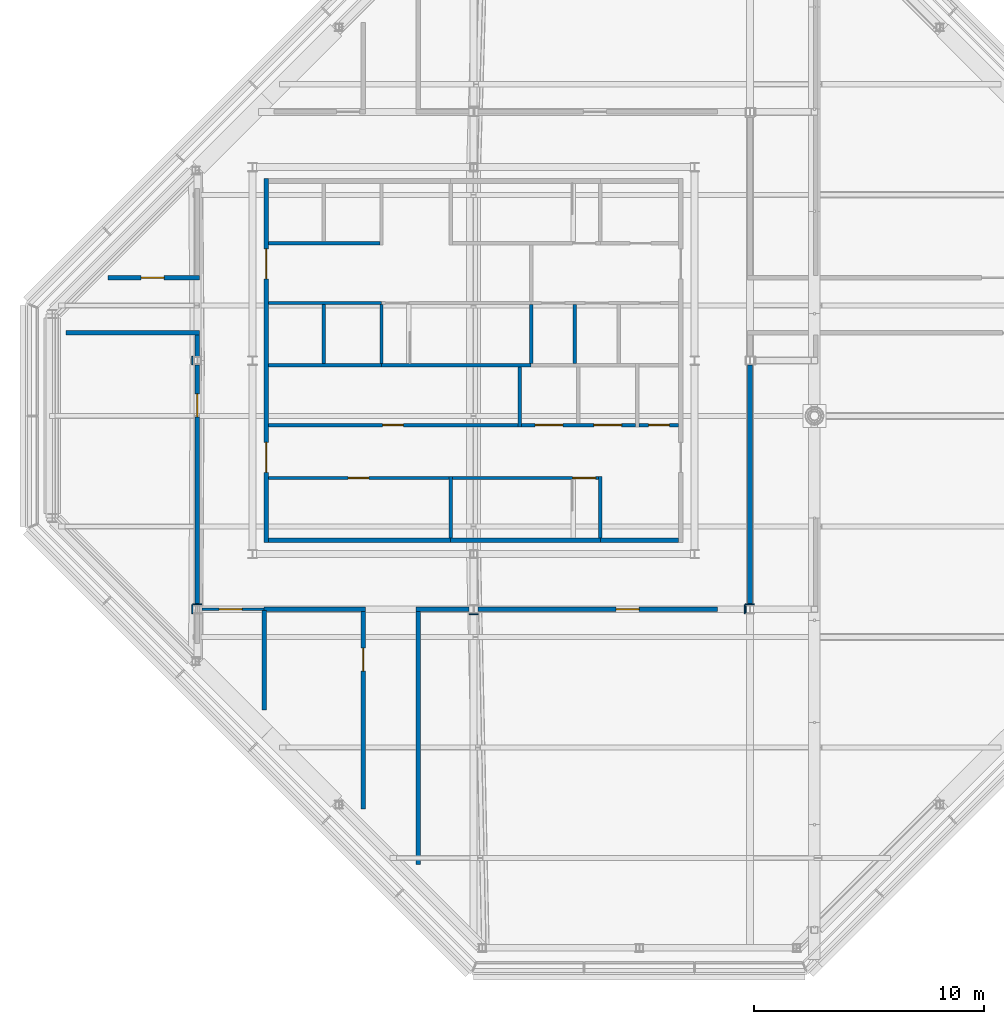
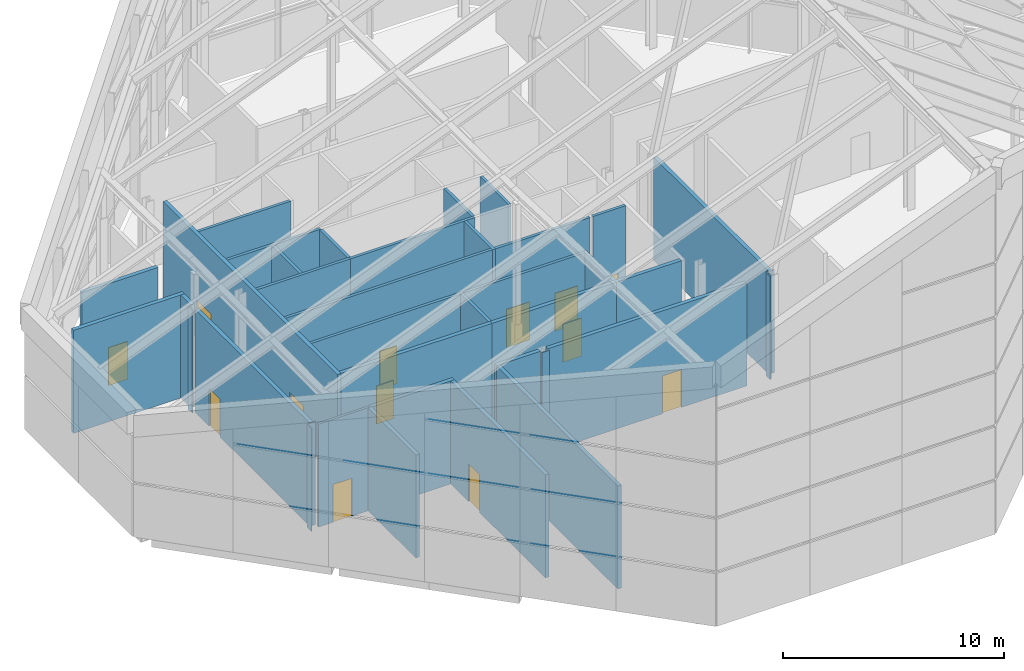
# One storey, part 17 of 21: 39 walls, 13 doors, 13 openings.
"""IFC4 building model written with IfcOpenShell, lengths in metres."""

from ifc_helpers import new_model, si_unit, direction, frame, frame_2d, origin, place, context, subcontext, project, spatial, rectangle, extrude, material, layer, layer_set, type_object, element, fill, save


model = new_model("IFC4")

# Units and contexts
model_context = context("Model", 3, precision=1e-05, world=origin(), true_north=direction((0.0, 1.0)))
body_context = subcontext(model_context, "Body", "Model", "MODEL_VIEW")
ifc_project = project(units=[si_unit("LENGTHUNIT", "METRE"), si_unit("AREAUNIT", "SQUARE_METRE"), si_unit("VOLUMEUNIT", "CUBIC_METRE"), si_unit("PLANEANGLEUNIT", "RADIAN"), si_unit("MASSUNIT", "GRAM", prefix="KILO")], contexts=[model_context])

# Site, building, storey
site_placement = place(None, origin())
site = spatial("IfcSite", under=ifc_project, at=site_placement, CompositionType="ELEMENT")
building_placement = place(site_placement, origin())
building = spatial("IfcBuilding", under=site, at=building_placement, Name="Cairn Pilgrim Tower", CompositionType="ELEMENT")
storey_placement = place(building_placement, frame((0.0, 0.0, 295.800048828125)))
storey = spatial("IfcBuildingStorey", under=building, at=storey_placement, Name="L76", CompositionType="ELEMENT", Elevation=295.800048828125)

# Walls
ifc_material_1 = material(Name="Concrete C32/40", Category="concrete")
ifc_layer_1 = layer(ifc_material_1, 0.199951171875)
ifc_layer_set_1 = layer_set([ifc_layer_1], Name="CORE OUTER WALL 200 EI 120")
wall_type_1 = type_object("IfcWallType", Name="CORE OUTER WALL 200 EI 120", PredefinedType="SOLIDWALL", material=ifc_layer_set_1)
wall_1_placement = place(storey_placement, frame((-1.699951171875, -5.39990234375, 0.0), z_axis=(0.0, 0.0, 1.0), x_axis=(1.0, 0.0, 0.0)))
element("IfcWall", 1, at=wall_1_placement, inside=storey, type_object=wall_type_1, Name="CW:L76:H01-1", PredefinedType="SOLIDWALL", context=body_context, shape_type="SweptSolid", body=[
    extrude(rectangle(XDim=7.89990234375, YDim=0.199951171875, at=frame_2d((3.949951171875, 0.0))), origin(), (0.0, 0.0, 1.0), 5.699951171875),
])
wall_2_placement = place(storey_placement, frame((12.699951171875, -5.39990234375, 0.0), z_axis=(0.0, 0.0, 1.0), x_axis=(1.0, 0.0, 0.0)))
element("IfcWall", 2, at=wall_2_placement, inside=storey, type_object=wall_type_1, Name="CW:L76:H01-3", PredefinedType="SOLIDWALL", context=body_context, shape_type="SweptSolid", body=[
    extrude(rectangle(XDim=3.400146484375, YDim=0.199951171875, at=frame_2d((1.7001953125, 0.0))), origin(), (0.0, 0.0, 1.0), 5.699951171875),
])

# Wall, openings, doors
wall_3_placement = place(storey_placement, frame((-1.800048828125, -5.5, 0.0), z_axis=(0.0, 0.0, 1.0), x_axis=(0.0, 1.0, 0.0)))
wall_3 = element("IfcWall", 3, at=wall_3_placement, inside=storey, type_object=wall_type_1, Name="CW:L76:V13", PredefinedType="SOLIDWALL", context=body_context, shape_type="SweptSolid", body=[
    extrude(rectangle(XDim=15.800048828125, YDim=0.199951171875, at=frame_2d((7.89990234375, 0.0))), origin(), (0.0, 0.0, 1.0), 5.699951171875),
])
opening_1_placement = place(wall_3_placement, frame((3.050048828125, 0.0, 0.0)))
opening_1 = element("IfcOpeningElement", 4, at=opening_1_placement, cuts=wall_3, Name="Opening CD-W1", PredefinedType="OPENING", context=body_context, shape_type="SweptSolid", body=[
    extrude(rectangle(XDim=1.300048828125, YDim=2.10009765625, at=frame_2d((0.64990234375, 1.050048828125))), frame((0.0, 0.10986328125, 0.0), z_axis=(0.0, -1.0, 0.0), x_axis=(1.0, 0.0, 0.0)), (0.0, 0.0, 1.0), 0.219970703125),
])
opening_2_placement = place(wall_3_placement, frame((11.449951171875, 0.0, 0.0)))
opening_2 = element("IfcOpeningElement", 5, at=opening_2_placement, cuts=wall_3, Name="Opening CD-W2", PredefinedType="OPENING", context=body_context, shape_type="SweptSolid", body=[
    extrude(rectangle(XDim=1.300048828125, YDim=2.10009765625, at=frame_2d((0.64990234375, 1.050048828125))), frame((0.0, 0.10986328125, 0.0), z_axis=(0.0, -1.0, 0.0), x_axis=(1.0, 0.0, 0.0)), (0.0, 0.0, 1.0), 0.219970703125),
])
ifc_material_2 = material(Name="Painted steel", Category="steel")
door_type_1 = type_object("IfcDoorType", Name="CORE LOBBY DOOR 1300x2100", OperationType="DOUBLE_DOOR_SINGLE_SWING", PredefinedType="DOOR", material=ifc_material_2)
door_1_placement = place(opening_1_placement, origin())
door_1 = element("IfcDoor", 6, at=door_1_placement, inside=storey, type_object=door_type_1, Name="CD-W1", OperationType="DOUBLE_DOOR_SINGLE_SWING", OverallHeight=2.10009765625, OverallWidth=1.300048828125, PredefinedType="DOOR", context=body_context, shape_type="SweptSolid", body=[
    extrude(rectangle(XDim=1.300048828125, YDim=2.10009765625, at=frame_2d((0.64990234375, 1.050048828125))), frame((0.0, 0.02490234375, 0.0), z_axis=(0.0, -1.0, 0.0), x_axis=(1.0, 0.0, 0.0)), (0.0, 0.0, 1.0), 0.050048828125),
])
fill(opening_1, door_1)
door_2_placement = place(opening_2_placement, origin())
door_2 = element("IfcDoor", 7, at=door_2_placement, inside=storey, type_object=door_type_1, Name="CD-W2", OperationType="DOUBLE_DOOR_SINGLE_SWING", OverallHeight=2.10009765625, OverallWidth=1.300048828125, PredefinedType="DOOR", context=body_context, shape_type="SweptSolid", body=[
    extrude(rectangle(XDim=1.300048828125, YDim=2.10009765625, at=frame_2d((0.64990234375, 1.050048828125))), frame((0.0, 0.02490234375, 0.0), z_axis=(0.0, -1.0, 0.0), x_axis=(1.0, 0.0, 0.0)), (0.0, 0.0, 1.0), 0.050048828125),
])
fill(opening_2, door_2)

# Wall, opening, door
ifc_layer_2 = layer(ifc_material_1, 0.14990234375)
ifc_layer_set_2 = layer_set([ifc_layer_2], Name="CORE PARTITION 150 EI 60")
wall_type_2 = type_object("IfcWallType", Name="CORE PARTITION 150 EI 60", PredefinedType="PARTITIONING", material=ifc_layer_set_2)
wall_4_placement = place(storey_placement, frame((-1.699951171875, -2.699951171875, 0.0), z_axis=(0.0, 0.0, 1.0), x_axis=(1.0, 0.0, 0.0)))
wall_4 = element("IfcWall", 8, at=wall_4_placement, inside=storey, type_object=wall_type_2, Name="CW:L76:H02", PredefinedType="PARTITIONING", context=body_context, shape_type="SweptSolid", body=[
    extrude(rectangle(XDim=7.824951171875, YDim=0.14990234375, at=frame_2d((3.91259765625, 0.0))), origin(), (0.0, 0.0, 1.0), 5.699951171875),
])
opening_3_placement = place(wall_4_placement, frame((3.449951171875, 0.0, 0.0)))
opening_3 = element("IfcOpeningElement", 9, at=opening_3_placement, cuts=wall_4, Name="Opening RD-R1W1", PredefinedType="OPENING", context=body_context, shape_type="SweptSolid", body=[
    extrude(rectangle(XDim=0.89990234375, YDim=2.10009765625, at=frame_2d((0.449951171875, 1.050048828125))), frame((0.0, 0.0849609375, 0.0), z_axis=(0.0, -1.0, 0.0), x_axis=(1.0, 0.0, 0.0)), (0.0, 0.0, 1.0), 0.169921875),
])
door_type_2 = type_object("IfcDoorType", Name="SERVICE ROOM DOOR 900x2100", OperationType="SINGLE_SWING_LEFT", PredefinedType="DOOR", material=ifc_material_2)
door_3_placement = place(opening_3_placement, origin())
door_3 = element("IfcDoor", 10, at=door_3_placement, inside=storey, type_object=door_type_2, Name="RD-R1W1", OperationType="SINGLE_SWING_LEFT", OverallHeight=2.10009765625, OverallWidth=0.89990234375, PredefinedType="DOOR", context=body_context, shape_type="SweptSolid", body=[
    extrude(rectangle(XDim=0.89990234375, YDim=2.10009765625, at=frame_2d((0.449951171875, 1.050048828125))), frame((0.0, 0.02490234375, 0.0), z_axis=(0.0, -1.0, 0.0), x_axis=(1.0, 0.0, 0.0)), (0.0, 0.0, 1.0), 0.050048828125),
])
fill(opening_3, door_3)

wall_5_placement = place(storey_placement, frame((-1.699951171875, -0.39990234375, 0.0), z_axis=(0.0, 0.0, 1.0), x_axis=(1.0, 0.0, 0.0)))
wall_5 = element("IfcWall", 11, at=wall_5_placement, inside=storey, type_object=wall_type_2, Name="CW:L76:H04", PredefinedType="PARTITIONING", context=body_context, shape_type="SweptSolid", body=[
    extrude(rectangle(XDim=10.824951171875, YDim=0.14990234375, at=frame_2d((5.41259765625, 0.0))), origin(), (0.0, 0.0, 1.0), 5.699951171875),
])
opening_4_placement = place(wall_5_placement, frame((4.949951171875, 0.0, 0.0)))
opening_4 = element("IfcOpeningElement", 12, at=opening_4_placement, cuts=wall_5, Name="Opening RD-R2W1", PredefinedType="OPENING", context=body_context, shape_type="SweptSolid", body=[
    extrude(rectangle(XDim=0.89990234375, YDim=2.10009765625, at=frame_2d((0.449951171875, 1.050048828125))), frame((0.0, 0.0849609375, 0.0), z_axis=(0.0, -1.0, 0.0), x_axis=(1.0, 0.0, 0.0)), (0.0, 0.0, 1.0), 0.169921875),
])
door_4_placement = place(opening_4_placement, origin())
door_4 = element("IfcDoor", 13, at=door_4_placement, inside=storey, type_object=door_type_2, Name="RD-R2W1", OperationType="SINGLE_SWING_RIGHT", OverallHeight=2.10009765625, OverallWidth=0.89990234375, PredefinedType="DOOR", context=body_context, shape_type="SweptSolid", body=[
    extrude(rectangle(XDim=0.89990234375, YDim=2.10009765625, at=frame_2d((0.449951171875, 1.050048828125))), frame((0.0, 0.02490234375, 0.0), z_axis=(0.0, -1.0, 0.0), x_axis=(1.0, 0.0, 0.0)), (0.0, 0.0, 1.0), 0.050048828125),
])
fill(opening_4, door_4)

wall_6_placement = place(storey_placement, frame((14.375, -0.39990234375, 0.0), z_axis=(0.0, 0.0, 1.0), x_axis=(1.0, 0.0, 0.0)))
wall_6 = element("IfcWall", 14, at=wall_6_placement, inside=storey, type_object=wall_type_2, Name="CW:L76:H06", PredefinedType="PARTITIONING", context=body_context, shape_type="SweptSolid", body=[
    extrude(rectangle(XDim=1.72509765625, YDim=0.14990234375, at=frame_2d((0.862548828125, 0.0))), origin(), (0.0, 0.0, 1.0), 5.699951171875),
])
opening_5_placement = place(wall_6_placement, frame((0.425048828125, 0.0, 0.0)))
opening_5 = element("IfcOpeningElement", 15, at=opening_5_placement, cuts=wall_6, Name="Opening RD-R2E", PredefinedType="OPENING", context=body_context, shape_type="SweptSolid", body=[
    extrude(rectangle(XDim=0.89990234375, YDim=2.10009765625, at=frame_2d((0.449951171875, 1.050048828125))), frame((0.0, 0.0849609375, 0.0), z_axis=(0.0, -1.0, 0.0), x_axis=(1.0, 0.0, 0.0)), (0.0, 0.0, 1.0), 0.169921875),
])
door_5_placement = place(opening_5_placement, origin())
door_5 = element("IfcDoor", 16, at=door_5_placement, inside=storey, type_object=door_type_2, Name="RD-R2E", OperationType="SINGLE_SWING_RIGHT", OverallHeight=2.10009765625, OverallWidth=0.89990234375, PredefinedType="DOOR", context=body_context, shape_type="SweptSolid", body=[
    extrude(rectangle(XDim=0.89990234375, YDim=2.10009765625, at=frame_2d((0.449951171875, 1.050048828125))), frame((0.0, 0.02490234375, 0.0), z_axis=(0.0, -1.0, 0.0), x_axis=(1.0, 0.0, 0.0)), (0.0, 0.0, 1.0), 0.050048828125),
])
fill(opening_5, door_5)

# Wall, openings, doors
ifc_layer_3 = layer(ifc_material_1, 0.14990234375)
ifc_layer_set_3 = layer_set([ifc_layer_3], Name="CORE SHAFT WALL 150 EI 120")
wall_type_3 = type_object("IfcWallType", Name="CORE SHAFT WALL 150 EI 120", PredefinedType="SOLIDWALL", material=ifc_layer_set_3)
wall_7_placement = place(storey_placement, frame((9.27490234375, -0.39990234375, 0.0), z_axis=(0.0, 0.0, 1.0), x_axis=(1.0, 0.0, 0.0)))
wall_7 = element("IfcWall", 17, at=wall_7_placement, inside=storey, type_object=wall_type_3, Name="CW:L76:H05", PredefinedType="SOLIDWALL", context=body_context, shape_type="SweptSolid", body=[
    extrude(rectangle(XDim=4.9501953125, YDim=0.14990234375, at=frame_2d((2.47509765625, 0.0))), origin(), (0.0, 0.0, 1.0), 5.699951171875),
])
opening_6_placement = place(wall_7_placement, frame((0.60009765625, 0.0, 0.0)))
opening_6 = element("IfcOpeningElement", 18, at=opening_6_placement, cuts=wall_7, Name="Opening LD-SV1", PredefinedType="OPENING", context=body_context, shape_type="SweptSolid", body=[
    extrude(rectangle(XDim=1.199951171875, YDim=2.10009765625, at=frame_2d((0.60009765625, 1.050048828125))), frame((0.0, 0.0849609375, 0.0), z_axis=(0.0, -1.0, 0.0), x_axis=(1.0, 0.0, 0.0)), (0.0, 0.0, 1.0), 0.169921875),
])
opening_7_placement = place(wall_7_placement, frame((3.14990234375, 0.0, 0.0)))
opening_7 = element("IfcOpeningElement", 19, at=opening_7_placement, cuts=wall_7, Name="Opening LD-SV2", PredefinedType="OPENING", context=body_context, shape_type="SweptSolid", body=[
    extrude(rectangle(XDim=1.199951171875, YDim=2.10009765625, at=frame_2d((0.60009765625, 1.050048828125))), frame((0.0, 0.0849609375, 0.0), z_axis=(0.0, -1.0, 0.0), x_axis=(1.0, 0.0, 0.0)), (0.0, 0.0, 1.0), 0.169921875),
])
ifc_material_3 = material(Name="Stainless steel", Category="steel")
door_type_3 = type_object("IfcDoorType", Name="LIFT LANDING DOOR 1200x2100", OperationType="DOUBLE_DOOR_SLIDING", PredefinedType="DOOR", material=ifc_material_3)
door_6_placement = place(opening_6_placement, origin())
door_6 = element("IfcDoor", 20, at=door_6_placement, inside=storey, type_object=door_type_3, Name="LANDING DOOR SV1", OperationType="DOUBLE_DOOR_SLIDING", OverallHeight=2.10009765625, OverallWidth=1.199951171875, PredefinedType="DOOR", context=body_context, shape_type="SweptSolid", body=[
    extrude(rectangle(XDim=1.199951171875, YDim=2.10009765625, at=frame_2d((0.60009765625, 1.050048828125))), frame((0.0, 0.02490234375, 0.0), z_axis=(0.0, -1.0, 0.0), x_axis=(1.0, 0.0, 0.0)), (0.0, 0.0, 1.0), 0.050048828125),
])
fill(opening_6, door_6)
door_7_placement = place(opening_7_placement, origin())
door_7 = element("IfcDoor", 21, at=door_7_placement, inside=storey, type_object=door_type_3, Name="LANDING DOOR SV2", OperationType="DOUBLE_DOOR_SLIDING", OverallHeight=2.10009765625, OverallWidth=1.199951171875, PredefinedType="DOOR", context=body_context, shape_type="SweptSolid", body=[
    extrude(rectangle(XDim=1.199951171875, YDim=2.10009765625, at=frame_2d((0.60009765625, 1.050048828125))), frame((0.0, 0.02490234375, 0.0), z_axis=(0.0, -1.0, 0.0), x_axis=(1.0, 0.0, 0.0)), (0.0, 0.0, 1.0), 0.050048828125),
])
fill(opening_7, door_7)

# Walls
for number, where, z_axis, x_axis, name in (
    (22, (-1.699951171875, 2.199951171875, 0.0), (0.0, 0.0, 1.0), (1.0, 0.0, 0.0), "CW:L76:H07-1"),
    (23, (-1.699951171875, 4.89990234375, 0.0), (0.0, 0.0, 1.0), (1.0, 0.0, 0.0), "CW:L76:H09-1"),
):
    element("IfcWall", number, at=place(storey_placement, frame(where, z_axis=z_axis, x_axis=x_axis)), inside=storey, type_object=wall_type_3, Name=name, PredefinedType="SOLIDWALL", context=body_context, shape_type="SweptSolid", body=[
        extrude(rectangle(XDim=4.89990234375, YDim=0.14990234375, at=frame_2d((2.449951171875, 0.0))), origin(), (0.0, 0.0, 1.0), 5.699951171875),
    ])
wall_8_placement = place(storey_placement, frame((-1.699951171875, 7.5, 0.0), z_axis=(0.0, 0.0, 1.0), x_axis=(1.0, 0.0, 0.0)))
element("IfcWall", 24, at=wall_8_placement, inside=storey, type_object=wall_type_3, Name="CW:L76:H10", PredefinedType="SOLIDWALL", context=body_context, shape_type="SweptSolid", body=[
    extrude(rectangle(XDim=4.824951171875, YDim=0.14990234375, at=frame_2d((2.41259765625, 0.0))), origin(), (0.0, 0.0, 1.0), 5.699951171875),
])
wall_9_placement = place(storey_placement, frame((0.699951171875, 2.27490234375, 0.0), z_axis=(0.0, 0.0, 1.0), x_axis=(0.0, 1.0, 0.0)))
element("IfcWall", 25, at=wall_9_placement, inside=storey, type_object=wall_type_3, Name="CW:L76:V14", PredefinedType="SOLIDWALL", context=body_context, shape_type="SweptSolid", body=[
    extrude(rectangle(XDim=2.550048828125, YDim=0.14990234375, at=frame_2d((1.27490234375, 0.0))), origin(), (0.0, 0.0, 1.0), 5.699951171875),
])
wall_10_placement = place(storey_placement, frame((9.199951171875, -0.47509765625, 0.0), z_axis=(0.0, 0.0, 1.0), x_axis=(0.0, 1.0, 0.0)))
element("IfcWall", 26, at=wall_10_placement, inside=storey, type_object=wall_type_3, Name="CW:L76:V20", PredefinedType="SOLIDWALL", context=body_context, shape_type="SweptSolid", body=[
    extrude(rectangle(XDim=2.60009765625, YDim=0.14990234375, at=frame_2d((1.300048828125, 0.0))), origin(), (0.0, 0.0, 1.0), 5.699951171875),
])
wall_11_placement = place(storey_placement, frame((11.60009765625, 2.27490234375, 0.0), z_axis=(0.0, 0.0, 1.0), x_axis=(0.0, 1.0, 0.0)))
element("IfcWall", 27, at=wall_11_placement, inside=storey, type_object=wall_type_3, Name="CW:L76:V23", PredefinedType="SOLIDWALL", context=body_context, shape_type="SweptSolid", body=[
    extrude(rectangle(XDim=2.550048828125, YDim=0.14990234375, at=frame_2d((1.27490234375, 0.0))), origin(), (0.0, 0.0, 1.0), 5.699951171875),
])

# Wall, opening, door
ifc_material_4 = material(Name="Gypsum partition")
ifc_layer_4 = layer(ifc_material_4, 0.125)
ifc_layer_set_4 = layer_set([ifc_layer_4], Name="PARTITION 125 DRYWALL EI 60")
wall_type_4 = type_object("IfcWallType", Name="PARTITION 125 DRYWALL EI 60", PredefinedType="PARTITIONING", material=ifc_layer_set_4)
wall_12_placement = place(storey_placement, frame((-4.60302734375, -8.39990234375, 0.0), z_axis=(0.0, 0.0, 1.0), x_axis=(1.0, 0.0, 0.0)))
wall_12 = element("IfcWall", 28, at=wall_12_placement, inside=storey, type_object=wall_type_4, Name="PARTITION W006", PredefinedType="PARTITIONING", context=body_context, shape_type="SweptSolid", body=[
    extrude(rectangle(XDim=2.703125, YDim=0.125, at=frame_2d((1.3515625, 0.0))), origin(), (0.0, 0.0, 1.0), 5.699951171875),
])
opening_8_placement = place(wall_12_placement, frame((0.7529296875, 0.0, 0.0)))
opening_8 = element("IfcOpeningElement", 29, at=opening_8_placement, cuts=wall_12, Name="Opening 7606", PredefinedType="OPENING", context=body_context, shape_type="SweptSolid", body=[
    extrude(rectangle(XDim=1.0, YDim=2.10009765625, at=frame_2d((0.5, 1.050048828125))), frame((0.0, 0.072509765625, 0.0), z_axis=(0.0, -1.0, 0.0), x_axis=(1.0, 0.0, 0.0)), (0.0, 0.0, 1.0), 0.14501953125),
])
ifc_material_5 = material(Name="Steel-faced fire door leaf", Category="steel")
door_type_4 = type_object("IfcDoorType", Name="FIRE DOOR 1000x2100 FD60S", OperationType="NOTDEFINED", PredefinedType="DOOR", material=ifc_material_5)
door_8_placement = place(opening_8_placement, origin())
door_8 = element("IfcDoor", 30, at=door_8_placement, inside=storey, type_object=door_type_4, Name="DOOR 7606", OperationType="SINGLE_SWING_RIGHT", OverallHeight=2.10009765625, OverallWidth=1.0, PredefinedType="DOOR", context=body_context, shape_type="SweptSolid", body=[
    extrude(rectangle(XDim=1.0, YDim=2.10009765625, at=frame_2d((0.5, 1.050048828125))), frame((0.0, 0.02490234375, 0.0), z_axis=(0.0, -1.0, 0.0), x_axis=(1.0, 0.0, 0.0)), (0.0, 0.0, 1.0), 0.050048828125),
])
fill(opening_8, door_8)

# Walls
ifc_layer_5 = layer(ifc_material_4, 0.050048828125)
ifc_layer_set_5 = layer_set([ifc_layer_5], Name="PARTITION 50 DRYWALL EI 120")
wall_type_5 = type_object("IfcWallType", Name="PARTITION 50 DRYWALL EI 120", PredefinedType="PARTITIONING", material=ifc_layer_set_5)
wall_13_placement = place(storey_placement, frame((19.021484375, -8.550048828125, 0.0), z_axis=(0.0, 0.0, 1.0), x_axis=(0.0, 1.0, 0.0)))
element("IfcWall", 31, at=wall_13_placement, inside=storey, type_object=wall_type_5, Name="COLUMN CASING WC01", PredefinedType="PARTITIONING", context=body_context, shape_type="SweptSolid", body=[
    extrude(rectangle(XDim=0.300048828125, YDim=0.050048828125, at=frame_2d((0.14990234375, 0.0))), origin(), (0.0, 0.0, 1.0), 5.699951171875),
])
for number, where, z_axis, x_axis, name in (
    (32, (-5.02197265625, -8.58740234375, 0.0), (0.0, 0.0, 1.0), (0.0, 1.0, 0.0), "COLUMN CASING WC03"),
    (33, (-5.02197265625, 2.21240234375, 0.0), (0.0, 0.0, 1.0), (0.0, 1.0, 0.0), "COLUMN CASING WC04"),
):
    element("IfcWall", number, at=place(storey_placement, frame(where, z_axis=z_axis, x_axis=x_axis)), inside=storey, type_object=wall_type_5, Name=name, PredefinedType="PARTITIONING", context=body_context, shape_type="SweptSolid", body=[
        extrude(rectangle(XDim=0.375, YDim=0.050048828125, at=frame_2d((0.1875, 0.0))), origin(), (0.0, 0.0, 1.0), 5.699951171875),
    ])
for number, where, z_axis, x_axis, name in (
    (34, (7.0029296875, -8.612548828125, 0.0), (0.0, 0.0, 1.0), (1.0, 0.0, 0.0), "COLUMN CASING WC06"),
    (35, (19.0029296875, -8.1875, 0.0), (0.0, 0.0, 1.0), (1.0, 0.0, 0.0), "COLUMN CASING WC07"),
):
    element("IfcWall", number, at=place(storey_placement, frame(where, z_axis=z_axis, x_axis=x_axis)), inside=storey, type_object=wall_type_5, Name=name, PredefinedType="PARTITIONING", context=body_context, shape_type="SweptSolid", body=[
        extrude(rectangle(XDim=0.39404296875, YDim=0.050048828125, at=frame_2d((0.197021484375, 0.0))), origin(), (0.0, 0.0, 1.0), 5.699951171875),
    ])
wall_14_placement = place(storey_placement, frame((18.97802734375, -8.58740234375, 0.0), z_axis=(0.0, 0.0, 1.0), x_axis=(0.0, 1.0, 0.0)))
element("IfcWall", 36, at=wall_14_placement, inside=storey, type_object=wall_type_5, Name="COLUMN CASING WC08", PredefinedType="PARTITIONING", context=body_context, shape_type="SweptSolid", body=[
    extrude(rectangle(XDim=0.375, YDim=0.050048828125, at=frame_2d((0.1875, 0.0))), origin(), (0.0, 0.0, 1.0), 5.699951171875),
])
ifc_layer_6 = layer(ifc_material_4, 0.050048828125)
ifc_layer_set_6 = layer_set([ifc_layer_6], Name="PARTITION 50 DRYWALL EI 60")
wall_type_6 = type_object("IfcWallType", Name="PARTITION 50 DRYWALL EI 60", PredefinedType="PARTITIONING", material=ifc_layer_set_6)
wall_15_placement = place(storey_placement, frame((-4.9970703125, -8.1875, 0.0), z_axis=(0.0, 0.0, 1.0), x_axis=(1.0, 0.0, 0.0)))
element("IfcWall", 37, at=wall_15_placement, inside=storey, type_object=wall_type_6, Name="COLUMN CASING WC05", PredefinedType="PARTITIONING", context=body_context, shape_type="SweptSolid", body=[
    extrude(rectangle(XDim=0.39404296875, YDim=0.050048828125, at=frame_2d((0.197021484375, 0.0))), origin(), (0.0, 0.0, 1.0), 5.699951171875),
])
ifc_layer_7 = layer(ifc_material_4, 0.199951171875)
ifc_layer_set_7 = layer_set([ifc_layer_7], Name="SHAFT WALL 200 GYPSUM EI 120")
wall_type_7 = type_object("IfcWallType", Name="SHAFT WALL 200 GYPSUM EI 120", PredefinedType="PARTITIONING", material=ifc_layer_set_7)
wall_16_placement = place(storey_placement, frame((4.800048828125, -19.47900390625, 0.0), z_axis=(0.0, 0.0, 1.0), x_axis=(0.0, 1.0, 0.0)))
element("IfcWall", 38, at=wall_16_placement, inside=storey, type_object=wall_type_7, Name="PARTITION W002", PredefinedType="PARTITIONING", context=body_context, shape_type="SweptSolid", body=[
    extrude(rectangle(XDim=10.97900390625, YDim=0.199951171875, at=frame_2d((5.489501953125, 0.0))), origin(), (0.0, 0.0, 1.0), 5.699951171875),
])

# Wall, opening, door
wall_17_placement = place(storey_placement, frame((2.39990234375, -17.0791015625, 0.0), z_axis=(0.0, 0.0, 1.0), x_axis=(0.0, 1.0, 0.0)))
wall_17 = element("IfcWall", 39, at=wall_17_placement, inside=storey, type_object=wall_type_7, Name="PARTITION W003", PredefinedType="PARTITIONING", context=body_context, shape_type="SweptSolid", body=[
    extrude(rectangle(XDim=8.5791015625, YDim=0.199951171875, at=frame_2d((4.28955078125, 0.0))), origin(), (0.0, 0.0, 1.0), 5.699951171875),
])
opening_9_placement = place(wall_17_placement, frame((5.9892578125, 0.0, 0.0)))
opening_9 = element("IfcOpeningElement", 40, at=opening_9_placement, cuts=wall_17, Name="Opening 7607", PredefinedType="OPENING", context=body_context, shape_type="SweptSolid", body=[
    extrude(rectangle(XDim=1.0, YDim=2.10009765625, at=frame_2d((0.5, 1.050048828125))), frame((0.0, 0.10986328125, 0.0), z_axis=(0.0, -1.0, 0.0), x_axis=(1.0, 0.0, 0.0)), (0.0, 0.0, 1.0), 0.219970703125),
])
door_9_placement = place(opening_9_placement, frame((1.0, 0.0, 0.0), z_axis=(0.0, 0.0, 1.0), x_axis=(-1.0, 0.0, 0.0)))
door_9 = element("IfcDoor", 41, at=door_9_placement, inside=storey, type_object=door_type_4, Name="DOOR 7607", OperationType="SINGLE_SWING_LEFT", OverallHeight=2.10009765625, OverallWidth=1.0, PredefinedType="DOOR", context=body_context, shape_type="SweptSolid", body=[
    extrude(rectangle(XDim=1.0, YDim=2.10009765625, at=frame_2d((0.5, 1.050048828125))), frame((0.0, 0.02490234375, 0.0), z_axis=(0.0, -1.0, 0.0), x_axis=(1.0, 0.0, 0.0)), (0.0, 0.0, 1.0), 0.050048828125),
])
fill(opening_9, door_9)

# Walls
wall_18_placement = place(storey_placement, frame((-1.89990234375, -12.779052734375, 0.0), z_axis=(0.0, 0.0, 1.0), x_axis=(0.0, 1.0, 0.0)))
element("IfcWall", 42, at=wall_18_placement, inside=storey, type_object=wall_type_7, Name="PARTITION W004", PredefinedType="PARTITIONING", context=body_context, shape_type="SweptSolid", body=[
    extrude(rectangle(XDim=4.316650390625, YDim=0.199951171875, at=frame_2d((2.158203125, 0.0))), origin(), (0.0, 0.0, 1.0), 5.699951171875),
])
wall_19_placement = place(storey_placement, frame((-1.89990234375, -8.39990234375, 0.0), z_axis=(0.0, 0.0, 1.0), x_axis=(1.0, 0.0, 0.0)))
element("IfcWall", 43, at=wall_19_placement, inside=storey, type_object=wall_type_7, Name="PARTITION W007", PredefinedType="PARTITIONING", context=body_context, shape_type="SweptSolid", body=[
    extrude(rectangle(XDim=4.39990234375, YDim=0.199951171875, at=frame_2d((2.199951171875, 0.0))), origin(), (0.0, 0.0, 1.0), 5.699951171875),
])
wall_20_placement = place(storey_placement, frame((4.699951171875, -8.39990234375, 0.0), z_axis=(0.0, 0.0, 1.0), x_axis=(1.0, 0.0, 0.0)))
element("IfcWall", 44, at=wall_20_placement, inside=storey, type_object=wall_type_7, Name="PARTITION W008", PredefinedType="PARTITIONING", context=body_context, shape_type="SweptSolid", body=[
    extrude(rectangle(XDim=2.302978515625, YDim=0.199951171875, at=frame_2d((1.1513671875, 0.0))), origin(), (0.0, 0.0, 1.0), 5.699951171875),
])

# Wall, opening, door
wall_21_placement = place(storey_placement, frame((7.39697265625, -8.39990234375, 0.0), z_axis=(0.0, 0.0, 1.0), x_axis=(1.0, 0.0, 0.0)))
wall_21 = element("IfcWall", 45, at=wall_21_placement, inside=storey, type_object=wall_type_7, Name="PARTITION W009", PredefinedType="PARTITIONING", context=body_context, shape_type="SweptSolid", body=[
    extrude(rectangle(XDim=10.394775390625, YDim=0.199951171875, at=frame_2d((5.197265625, 0.0))), origin(), (0.0, 0.0, 1.0), 5.699951171875),
])
opening_10_placement = place(wall_21_placement, frame((5.98876953125, 0.0, 0.0)))
opening_10 = element("IfcOpeningElement", 46, at=opening_10_placement, cuts=wall_21, Name="Opening 7608", PredefinedType="OPENING", context=body_context, shape_type="SweptSolid", body=[
    extrude(rectangle(XDim=1.0, YDim=2.10009765625, at=frame_2d((0.5, 1.050048828125))), frame((0.0, 0.10986328125, 0.0), z_axis=(0.0, -1.0, 0.0), x_axis=(1.0, 0.0, 0.0)), (0.0, 0.0, 1.0), 0.219970703125),
])
door_10_placement = place(opening_10_placement, origin())
door_10 = element("IfcDoor", 47, at=door_10_placement, inside=storey, type_object=door_type_4, Name="DOOR 7608", OperationType="SINGLE_SWING_RIGHT", OverallHeight=2.10009765625, OverallWidth=1.0, PredefinedType="DOOR", context=body_context, shape_type="SweptSolid", body=[
    extrude(rectangle(XDim=1.0, YDim=2.10009765625, at=frame_2d((0.5, 1.050048828125))), frame((0.0, 0.02490234375, 0.0), z_axis=(0.0, -1.0, 0.0), x_axis=(1.0, 0.0, 0.0)), (0.0, 0.0, 1.0), 0.050048828125),
])
fill(opening_10, door_10)

wall_22_placement = place(storey_placement, frame((-4.800048828125, -8.21240234375, 0.0), z_axis=(0.0, 0.0, 1.0), x_axis=(0.0, 1.0, 0.0)))
wall_22 = element("IfcWall", 48, at=wall_22_placement, inside=storey, type_object=wall_type_7, Name="PARTITION W011", PredefinedType="PARTITIONING", context=body_context, shape_type="SweptSolid", body=[
    extrude(rectangle(XDim=10.4248046875, YDim=0.199951171875, at=frame_2d((5.21240234375, 0.0))), origin(), (0.0, 0.0, 1.0), 5.699951171875),
])
opening_11_placement = place(wall_22_placement, frame((8.16259765625, 0.0, 0.0)))
opening_11 = element("IfcOpeningElement", 49, at=opening_11_placement, cuts=wall_22, Name="Opening 7605", PredefinedType="OPENING", context=body_context, shape_type="SweptSolid", body=[
    extrude(rectangle(XDim=1.0, YDim=2.10009765625, at=frame_2d((0.5, 1.050048828125))), frame((0.0, 0.10986328125, 0.0), z_axis=(0.0, -1.0, 0.0), x_axis=(1.0, 0.0, 0.0)), (0.0, 0.0, 1.0), 0.219970703125),
])
door_11_placement = place(opening_11_placement, frame((1.0, 0.0, 0.0), z_axis=(0.0, 0.0, 1.0), x_axis=(-1.0, 0.0, 0.0)))
door_11 = element("IfcDoor", 50, at=door_11_placement, inside=storey, type_object=door_type_4, Name="DOOR 7605", OperationType="SINGLE_SWING_RIGHT", OverallHeight=2.10009765625, OverallWidth=1.0, PredefinedType="DOOR", context=body_context, shape_type="SweptSolid", body=[
    extrude(rectangle(XDim=1.0, YDim=2.10009765625, at=frame_2d((0.5, 1.050048828125))), frame((0.0, 0.02490234375, 0.0), z_axis=(0.0, -1.0, 0.0), x_axis=(1.0, 0.0, 0.0)), (0.0, 0.0, 1.0), 0.050048828125),
])
fill(opening_11, door_11)

# Walls
wall_23_placement = place(storey_placement, frame((19.199951171875, -8.21240234375, 0.0), z_axis=(0.0, 0.0, 1.0), x_axis=(0.0, 1.0, 0.0)))
element("IfcWall", 51, at=wall_23_placement, inside=storey, type_object=wall_type_7, Name="PARTITION W012", PredefinedType="PARTITIONING", context=body_context, shape_type="SweptSolid", body=[
    extrude(rectangle(XDim=10.4248046875, YDim=0.199951171875, at=frame_2d((5.21240234375, 0.0))), origin(), (0.0, 0.0, 1.0), 5.699951171875),
])
wall_24_placement = place(storey_placement, frame((-4.800048828125, 2.58740234375, 0.0), z_axis=(0.0, 0.0, 1.0), x_axis=(0.0, 1.0, 0.0)))
element("IfcWall", 52, at=wall_24_placement, inside=storey, type_object=wall_type_7, Name="PARTITION W014", PredefinedType="PARTITIONING", context=body_context, shape_type="SweptSolid", body=[
    extrude(rectangle(XDim=0.91259765625, YDim=0.199951171875, at=frame_2d((0.456298828125, 0.0))), origin(), (0.0, 0.0, 1.0), 5.699951171875),
])
wall_25_placement = place(storey_placement, frame((-10.5, 3.60009765625, 0.0), z_axis=(0.0, 0.0, 1.0), x_axis=(1.0, 0.0, 0.0)))
element("IfcWall", 53, at=wall_25_placement, inside=storey, type_object=wall_type_7, Name="PARTITION W016", PredefinedType="PARTITIONING", context=body_context, shape_type="SweptSolid", body=[
    extrude(rectangle(XDim=5.800048828125, YDim=0.199951171875, at=frame_2d((2.89990234375, 0.0))), origin(), (0.0, 0.0, 1.0), 5.699951171875),
])

# Wall, opening, door
wall_26_placement = place(storey_placement, frame((-8.678955078125, 6.0, 0.0), z_axis=(0.0, 0.0, 1.0), x_axis=(1.0, 0.0, 0.0)))
wall_26 = element("IfcWall", 54, at=wall_26_placement, inside=storey, type_object=wall_type_7, Name="PARTITION W018", PredefinedType="PARTITIONING", context=body_context, shape_type="SweptSolid", body=[
    extrude(rectangle(XDim=3.97900390625, YDim=0.199951171875, at=frame_2d((1.989501953125, 0.0))), origin(), (0.0, 0.0, 1.0), 5.699951171875),
])
opening_12_placement = place(wall_26_placement, frame((1.439208984375, 0.0, 0.0)))
opening_12 = element("IfcOpeningElement", 55, at=opening_12_placement, cuts=wall_26, Name="Opening 7601", PredefinedType="OPENING", context=body_context, shape_type="SweptSolid", body=[
    extrude(rectangle(XDim=1.0, YDim=2.10009765625, at=frame_2d((0.5, 1.050048828125))), frame((0.0, 0.10986328125, 0.0), z_axis=(0.0, -1.0, 0.0), x_axis=(1.0, 0.0, 0.0)), (0.0, 0.0, 1.0), 0.219970703125),
])
door_12_placement = place(opening_12_placement, frame((1.0, 0.0, 0.0), z_axis=(0.0, 0.0, 1.0), x_axis=(-1.0, 0.0, 0.0)))
door_12 = element("IfcDoor", 56, at=door_12_placement, inside=storey, type_object=door_type_4, Name="DOOR 7601", OperationType="SINGLE_SWING_RIGHT", OverallHeight=2.10009765625, OverallWidth=1.0, PredefinedType="DOOR", context=body_context, shape_type="SweptSolid", body=[
    extrude(rectangle(XDim=1.0, YDim=2.10009765625, at=frame_2d((0.5, 1.050048828125))), frame((0.0, 0.02490234375, 0.0), z_axis=(0.0, -1.0, 0.0), x_axis=(1.0, 0.0, 0.0)), (0.0, 0.0, 1.0), 0.050048828125),
])
fill(opening_12, door_12)

ifc_material_6 = material(Name="Concrete C35/45", Category="concrete")
ifc_layer_8 = layer(ifc_material_6, 0.14990234375)
ifc_layer_set_8 = layer_set([ifc_layer_8], Name="STAIR SHAFT WALL 150 EI 120")
wall_type_8 = type_object("IfcWallType", Name="STAIR SHAFT WALL 150 EI 120", PredefinedType="SOLIDWALL", material=ifc_layer_set_8)
wall_27_placement = place(storey_placement, frame((6.27490234375, -2.699951171875, 0.0), z_axis=(0.0, 0.0, 1.0), x_axis=(1.0, 0.0, 0.0)))
wall_27 = element("IfcWall", 57, at=wall_27_placement, inside=storey, type_object=wall_type_8, Name="CW:L76:H03", PredefinedType="SOLIDWALL", context=body_context, shape_type="SweptSolid", body=[
    extrude(rectangle(XDim=6.35009765625, YDim=0.14990234375, at=frame_2d((3.175048828125, 0.0))), origin(), (0.0, 0.0, 1.0), 5.699951171875),
])
opening_13_placement = place(wall_27_placement, frame((5.22509765625, 0.0, 0.0)))
opening_13 = element("IfcOpeningElement", 58, at=opening_13_placement, cuts=wall_27, Name="Opening SD-A", PredefinedType="OPENING", context=body_context, shape_type="SweptSolid", body=[
    extrude(rectangle(XDim=1.0, YDim=2.10009765625, at=frame_2d((0.5, 1.050048828125))), frame((0.0, 0.0849609375, 0.0), z_axis=(0.0, -1.0, 0.0), x_axis=(1.0, 0.0, 0.0)), (0.0, 0.0, 1.0), 0.169921875),
])
door_type_5 = type_object("IfcDoorType", Name="STAIR DOOR FD60S 1000x2100", OperationType="SINGLE_SWING_LEFT", PredefinedType="DOOR", material=ifc_material_2)
door_13_placement = place(opening_13_placement, origin())
door_13 = element("IfcDoor", 59, at=door_13_placement, inside=storey, type_object=door_type_5, Name="SD-A", OperationType="SINGLE_SWING_LEFT", OverallHeight=2.10009765625, OverallWidth=1.0, PredefinedType="DOOR", context=body_context, shape_type="SweptSolid", body=[
    extrude(rectangle(XDim=1.0, YDim=2.10009765625, at=frame_2d((0.5, 1.050048828125))), frame((0.0, 0.02490234375, 0.0), z_axis=(0.0, -1.0, 0.0), x_axis=(1.0, 0.0, 0.0)), (0.0, 0.0, 1.0), 0.050048828125),
])
fill(opening_13, door_13)

# Walls
wall_28_placement = place(storey_placement, frame((3.199951171875, 2.199951171875, 0.0), z_axis=(0.0, 0.0, 1.0), x_axis=(1.0, 0.0, 0.0)))
element("IfcWall", 60, at=wall_28_placement, inside=storey, type_object=wall_type_8, Name="CW:L76:H07-2", PredefinedType="SOLIDWALL", context=body_context, shape_type="SweptSolid", body=[
    extrude(rectangle(XDim=6.5, YDim=0.14990234375, at=frame_2d((3.25, 0.0))), origin(), (0.0, 0.0, 1.0), 5.699951171875),
])
wall_29_placement = place(storey_placement, frame((3.199951171875, 2.27490234375, 0.0), z_axis=(0.0, 0.0, 1.0), x_axis=(0.0, 1.0, 0.0)))
element("IfcWall", 61, at=wall_29_placement, inside=storey, type_object=wall_type_8, Name="CW:L76:V16", PredefinedType="SOLIDWALL", context=body_context, shape_type="SweptSolid", body=[
    extrude(rectangle(XDim=2.550048828125, YDim=0.14990234375, at=frame_2d((1.27490234375, 0.0))), origin(), (0.0, 0.0, 1.0), 5.699951171875),
])
wall_30_placement = place(storey_placement, frame((6.199951171875, -5.300048828125, 0.0), z_axis=(0.0, 0.0, 1.0), x_axis=(0.0, 1.0, 0.0)))
element("IfcWall", 62, at=wall_30_placement, inside=storey, type_object=wall_type_8, Name="CW:L76:V18", PredefinedType="SOLIDWALL", context=body_context, shape_type="SweptSolid", body=[
    extrude(rectangle(XDim=2.675048828125, YDim=0.14990234375, at=frame_2d((1.33740234375, 0.0))), origin(), (0.0, 0.0, 1.0), 5.699951171875),
])
wall_31_placement = place(storey_placement, frame((9.699951171875, 2.27490234375, 0.0), z_axis=(0.0, 0.0, 1.0), x_axis=(0.0, 1.0, 0.0)))
element("IfcWall", 63, at=wall_31_placement, inside=storey, type_object=wall_type_8, Name="CW:L76:V21", PredefinedType="SOLIDWALL", context=body_context, shape_type="SweptSolid", body=[
    extrude(rectangle(XDim=2.550048828125, YDim=0.14990234375, at=frame_2d((1.27490234375, 0.0))), origin(), (0.0, 0.0, 1.0), 5.699951171875),
])
wall_32_placement = place(storey_placement, frame((12.699951171875, -5.300048828125, 0.0), z_axis=(0.0, 0.0, 1.0), x_axis=(0.0, 1.0, 0.0)))
element("IfcWall", 64, at=wall_32_placement, inside=storey, type_object=wall_type_8, Name="CW:L76:V25", PredefinedType="SOLIDWALL", context=body_context, shape_type="SweptSolid", body=[
    extrude(rectangle(XDim=2.675048828125, YDim=0.14990234375, at=frame_2d((1.33740234375, 0.0))), origin(), (0.0, 0.0, 1.0), 5.699951171875),
])
ifc_layer_9 = layer(ifc_material_6, 0.199951171875)
ifc_layer_set_9 = layer_set([ifc_layer_9], Name="STAIR SHAFT WALL 200 EI 120")
wall_type_9 = type_object("IfcWallType", Name="STAIR SHAFT WALL 200 EI 120", PredefinedType="SOLIDWALL", material=ifc_layer_set_9)
wall_33_placement = place(storey_placement, frame((6.199951171875, -5.39990234375, 0.0), z_axis=(0.0, 0.0, 1.0), x_axis=(1.0, 0.0, 0.0)))
element("IfcWall", 65, at=wall_33_placement, inside=storey, type_object=wall_type_9, Name="CW:L76:H01-2", PredefinedType="SOLIDWALL", context=body_context, shape_type="SweptSolid", body=[
    extrude(rectangle(XDim=6.5, YDim=0.199951171875, at=frame_2d((3.25, 0.0))), origin(), (0.0, 0.0, 1.0), 5.699951171875),
])

save(model, "model.ifc")
